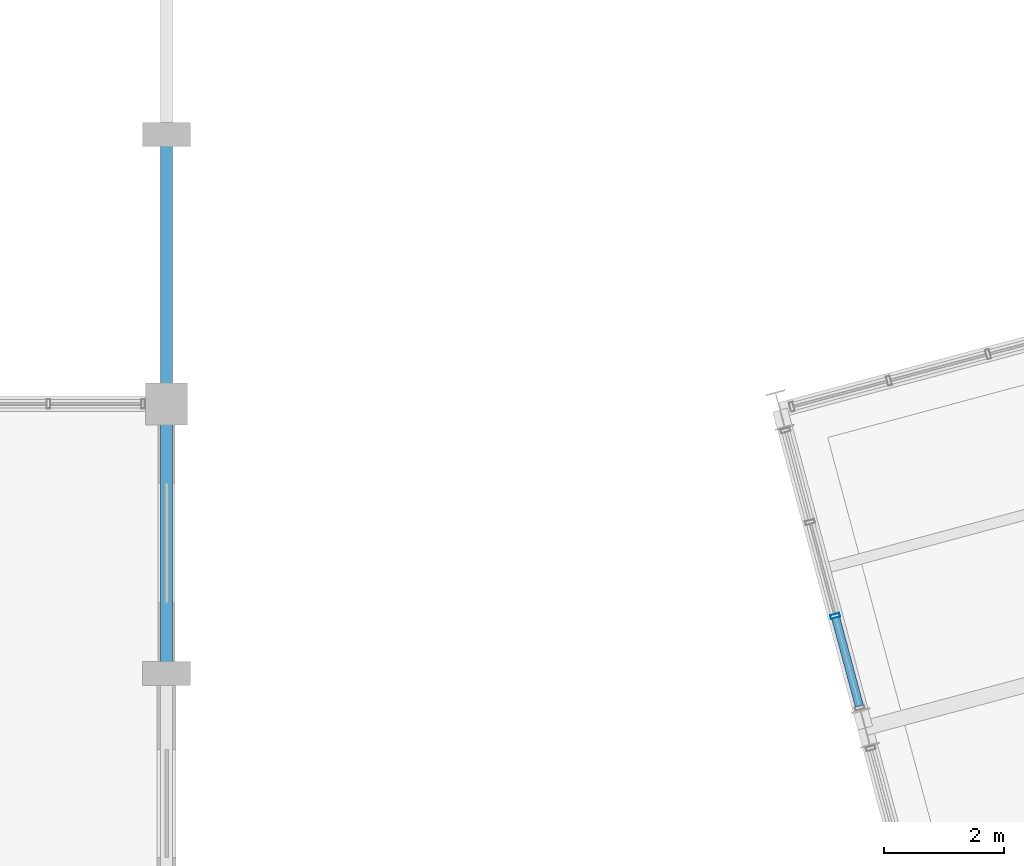
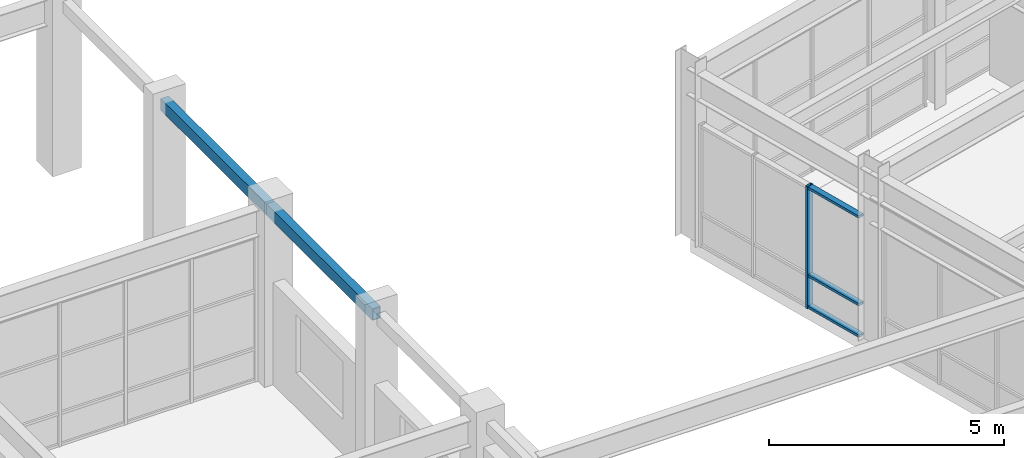
# One storey, part 39 of 104: 4 members, 2 beams, 1 element without a shape of its own.
"""IFC4 building model written with IfcOpenShell, lengths in metres."""

import ifcopenshell
import ifcopenshell.guid

model = None  # the IFC model being written
_history = None  # IfcOwnerHistory: only IFC2X3 demands one
_inside = {}  # id of a spatial element -> (the spatial element, [elements in it])
_under = {}  # id of a project, library or spatial element -> (it, [spatial elements below it])
_declared = {}  # id of a project -> (the project, [libraries it declares])
_typed = {}  # id of a type object -> (the type object, [elements of that type])
_made_of = {}  # id of a material, layer set ... -> (it, [elements and type objects made of it])


def new_model(schema):
    """Start an empty IFC model of exactly this schema.

    Asked for "IFC4X3", IfcOpenShell would pick the latest addendum, in which some entities
    have other attributes; the version numbers below select the first issue.
    IFC2X3 requires an IfcOwnerHistory on every rooted entity: one is made here for all.
    """
    global model, _history
    if schema == "IFC4X3":
        model = ifcopenshell.file(schema_version=(4, 3, 0, 0))
    else:
        model = ifcopenshell.file(schema=schema)
    _inside.clear()
    _under.clear()
    _declared.clear()
    _typed.clear()
    _made_of.clear()
    _history = None
    if model.schema == "IFC2X3":
        org = make("IfcOrganization", Name="unknown")
        user = make(
            "IfcPersonAndOrganization",
            ThePerson=make("IfcPerson", FamilyName="unknown"),
            TheOrganization=org,
        )
        app = make(
            "IfcApplication",
            ApplicationDeveloper=org,
            Version="unknown",
            ApplicationFullName="unknown",
            ApplicationIdentifier="unknown",
        )
        _history = make(
            "IfcOwnerHistory",
            OwningUser=user,
            OwningApplication=app,
            ChangeAction="ADDED",
            CreationDate=0,
        )
    return model


def make(cls, **values):
    """One entity of the class cls with the attributes given. An attribute that is None is left unset."""
    return model.create_entity(
        cls, **{name: value for name, value in values.items() if value is not None}
    )


def rooted(cls, **values):
    """An entity with a GlobalId (a new one), such as an element, a storey or a relation."""
    return make(cls, GlobalId=ifcopenshell.guid.new(), OwnerHistory=_history, **values)


def si_unit(unit_type, name, prefix=None):
    """IfcSIUnit, for example si_unit("LENGTHUNIT", "METRE", prefix="MILLI")."""
    return make("IfcSIUnit", UnitType=unit_type, Prefix=prefix, Name=name)


def assignment(units):
    """IfcUnitAssignment: the units of a project."""
    return None if units is None else make("IfcUnitAssignment", Units=units)


def point(xyz):
    """IfcCartesianPoint."""
    return None if xyz is None else make("IfcCartesianPoint", Coordinates=xyz)


def direction(xyz):
    """IfcDirection."""
    return None if xyz is None else make("IfcDirection", DirectionRatios=xyz)


def frame(location, z_axis=None, x_axis=None):
    """IfcAxis2Placement3D, a coordinate frame: its origin and axes. An axis left out is left unset."""
    return make(
        "IfcAxis2Placement3D",
        Location=point(location),
        Axis=direction(z_axis),
        RefDirection=direction(x_axis),
    )


def frame_2d(location, x_axis=None):
    """IfcAxis2Placement2D, a coordinate frame in the plane: its origin and x axis."""
    return make(
        "IfcAxis2Placement2D", Location=point(location), RefDirection=direction(x_axis)
    )


def origin():
    """The frame at (0, 0, 0) with its axes left unset."""
    return frame((0.0, 0.0, 0.0))


def origin_2d():
    """The frame at (0, 0) in the plane with its x axis left unset."""
    return frame_2d((0.0, 0.0))


def place(relative_to, where):
    """IfcLocalPlacement: puts the frame where relative to a parent placement (None: the world)."""
    return make(
        "IfcLocalPlacement", PlacementRelTo=relative_to, RelativePlacement=where
    )


def context(
    kind, dimensions, precision=None, world=None, true_north=None, identifier=None
):
    """IfcGeometricRepresentationContext, for example the 3D "Model" context."""
    return make(
        "IfcGeometricRepresentationContext",
        ContextIdentifier=identifier,
        ContextType=kind,
        CoordinateSpaceDimension=dimensions,
        Precision=precision,
        WorldCoordinateSystem=world,
        TrueNorth=true_north,
    )


def subcontext(parent, identifier, kind, view, scale=None):
    """IfcGeometricRepresentationSubContext, for example "Body" below "Model"."""
    return make(
        "IfcGeometricRepresentationSubContext",
        ContextIdentifier=identifier,
        ContextType=kind,
        ParentContext=parent,
        TargetScale=scale,
        TargetView=view,
    )


def project(units=None, contexts=None):
    """IfcProject with its units and contexts."""
    return rooted(
        "IfcProject",
        Name="project",
        RepresentationContexts=contexts,
        UnitsInContext=assignment(units),
    )


def spatial(cls, under=None, at=None, **own):
    """A site, building, storey or space (cls), placed at a placement, below another one or the project."""
    s = rooted(cls, ObjectPlacement=at, **own)
    if under is not None:
        _under.setdefault(under.id(), (under, []))[1].append(s)
    return s


def profile(cls, at=None, kind="AREA", **sizes):
    """A parametric profile (cls). Its sizes go by their IFC names, for example OverallWidth=200.0."""
    return make(cls, ProfileType=kind, Position=at, **sizes)


def hollow_rectangle(**sizes):
    """IfcRectangleHollowProfileDef."""
    return profile("IfcRectangleHollowProfileDef", **sizes)


def extrude(swept, where, along, depth):
    """IfcExtrudedAreaSolid: the profile swept, set in the frame where, extruded along a direction by depth."""
    return make(
        "IfcExtrudedAreaSolid",
        SweptArea=swept,
        Position=where,
        ExtrudedDirection=direction(along),
        Depth=depth,
    )


def shape(context_of_items, identifier, shape_type, items):
    """IfcShapeRepresentation: the items that make up one representation, for example the "Body"."""
    return make(
        "IfcShapeRepresentation",
        ContextOfItems=context_of_items,
        RepresentationIdentifier=identifier,
        RepresentationType=shape_type,
        Items=items,
    )


def material(Name=None, Category=None):
    """IfcMaterial."""
    return make("IfcMaterial", Name=Name, Category=Category)


def layer(
    of_material, thickness, ventilated=None, Name=None, Category=None, Priority=None
):
    """IfcMaterialLayer: one layer of a wall or slab, of a material (None: an air gap)."""
    return make(
        "IfcMaterialLayer",
        Material=of_material,
        LayerThickness=thickness,
        IsVentilated=ventilated,
        Name=Name,
        Category=Category,
        Priority=Priority,
    )


def layer_set(layers, Name=None):
    """IfcMaterialLayerSet."""
    return make("IfcMaterialLayerSet", MaterialLayers=layers, LayerSetName=Name)


def material_profile(
    of_material, cross_section, Name=None, Category=None, Priority=None
):
    """IfcMaterialProfile: a cross section and its material."""
    return make(
        "IfcMaterialProfile",
        Name=Name,
        Material=of_material,
        Profile=cross_section,
        Priority=Priority,
        Category=Category,
    )


def profile_set(profiles, Name=None, composite=None):
    """IfcMaterialProfileSet."""
    return make(
        "IfcMaterialProfileSet",
        Name=Name,
        MaterialProfiles=profiles,
        CompositeProfile=composite,
    )


def made_of(thing, what):
    """Note that an element or type object is made of a material, layer set ...; save() writes the relation."""
    if what is not None:
        _made_of.setdefault(what.id(), (what, []))[1].append(thing)
    return thing


def type_object(cls, material=None, **own):
    """A type object (cls), such as IfcWallType, which elements share."""
    return made_of(rooted(cls, **own), material)


def element(
    cls,
    number,
    at=None,
    inside=None,
    cuts=None,
    type_object=None,
    material=None,
    context=None,
    identifier="Body",
    shape_type=None,
    held_by="IfcProductDefinitionShape",
    body=None,
    shapes=None,
    **own,
):
    """One element of the class cls, such as IfcWall. Its Tag is "e" and its number.

    at: its placement. inside: the storey or other place that contains it. cuts: it is an
    opening in that element (IfcRelVoidsElement). A single representation is given by context,
    identifier, shape_type and body (its items); several are given by shapes. held_by: the class
    of the entity that holds the representations. save() writes the other relations.
    """
    e = rooted(cls, Tag="e%d" % number, ObjectPlacement=at, **own)
    if body is not None:
        shapes = [shape(context, identifier, shape_type, body)]
    if shapes is not None:
        e.Representation = make(held_by, Representations=shapes)
    if inside is not None:
        _inside.setdefault(inside.id(), (inside, []))[1].append(e)
    if cuts is not None:
        rooted(
            "IfcRelVoidsElement", RelatingBuildingElement=cuts, RelatedOpeningElement=e
        )
    if type_object is not None:
        _typed.setdefault(type_object.id(), (type_object, []))[1].append(e)
    return made_of(e, material)


def aggregate(whole, parts):
    """IfcRelAggregates: a whole, such as a stair, and the parts it consists of."""
    return rooted("IfcRelAggregates", RelatingObject=whole, RelatedObjects=parts)


def save(model, path):
    """Write the relations noted so far, then the file.

    IfcRelAggregates (storeys below a building ...), IfcRelContainedInSpatialStructure (elements
    in a storey), IfcRelDefinesByType, IfcRelAssociatesMaterial and IfcRelDeclares: one each for
    every whole, place, type object, material and project.
    """
    for whole, parts in _under.values():
        aggregate(whole, parts)
    for where, things in _inside.values():
        rooted(
            "IfcRelContainedInSpatialStructure",
            RelatedElements=things,
            RelatingStructure=where,
        )
    for kind, things in _typed.values():
        rooted("IfcRelDefinesByType", RelatedObjects=things, RelatingType=kind)
    for what, things in _made_of.values():
        rooted("IfcRelAssociatesMaterial", RelatedObjects=things, RelatingMaterial=what)
    for by, libraries in _declared.values():
        rooted("IfcRelDeclares", RelatingContext=by, RelatedDefinitions=libraries)
    model.write(path)


model = new_model("IFC4")

# Units and contexts
model_context = context("Model", 3, precision=1e-05, world=origin(), true_north=direction((0.0, 1.0)))
body_context = subcontext(model_context, "Body", "Model", "MODEL_VIEW")
ifc_project = project(units=[si_unit("LENGTHUNIT", "METRE"), si_unit("AREAUNIT", "SQUARE_METRE"), si_unit("VOLUMEUNIT", "CUBIC_METRE"), si_unit("PLANEANGLEUNIT", "RADIAN"), si_unit("MASSUNIT", "GRAM", prefix="KILO")], contexts=[model_context])

# Site, building, storey
site_placement = place(None, origin())
site = spatial("IfcSite", under=ifc_project, at=site_placement, CompositionType="ELEMENT")
building_placement = place(site_placement, origin())
building = spatial("IfcBuilding", under=site, at=building_placement, Name="Ventoquebrada Cableway Terminal", CompositionType="ELEMENT")
storey_placement = place(building_placement, frame((0.0, 0.0, 4.800048828125)))
storey = spatial("IfcBuildingStorey", under=building, at=storey_placement, Name="L01", CompositionType="ELEMENT", Elevation=4.800048828125)

# Curtain wall, members
ifc_material_1 = material(Name="Anodized thermally-broken aluminium", Category="aluminium")
ifc_layer = layer(ifc_material_1, 0.159912109375)
ifc_layer_set = layer_set([ifc_layer], Name="Anodized thermally-broken aluminium")
curtain_wall_type = type_object("IfcCurtainWallType", Name="CW-T38", PredefinedType="USERDEFINED", material=ifc_layer_set)
curtain_wall_placement = place(storey_placement, origin())
curtain_wall = element("IfcCurtainWall", 1, at=curtain_wall_placement, inside=storey, type_object=curtain_wall_type, Name="Unitised glazed curtain wall CW-096", ObjectType="UNITISED CURTAIN WALL", PredefinedType="USERDEFINED")
ifc_material_profile_1 = material_profile(ifc_material_1, hollow_rectangle(XDim=0.06494140625, YDim=0.159912109375, WallThickness=0.00390625, at=origin_2d()), Name="CW-MUL-65X160")
ifc_profile_set_1 = profile_set([ifc_material_profile_1], Name="Anodized thermally-broken aluminium")
member_type_1 = type_object("IfcMemberType", Name="CWM-01", PredefinedType="MULLION", material=ifc_profile_set_1)
member_1_placement = place(storey_placement, frame((46.169921875, 91.4580078125, -0.008056640625), z_axis=(0.0, 0.0, 1.0), x_axis=(0.258650455301, -0.965970984022, 0.0)))
member_1 = element("IfcMember", 2, at=member_1_placement, type_object=member_type_1, Name="Curtain wall mullion FML-0470", PredefinedType="MULLION", context=body_context, shape_type="SweptSolid", body=[
    extrude(hollow_rectangle(XDim=0.06494140625, YDim=0.159912109375, WallThickness=0.00390625, at=origin_2d()), origin(), (0.0, 0.0, 1.0), 3.173095703125),
])
ifc_material_profile_2 = material_profile(ifc_material_1, hollow_rectangle(XDim=0.06494140625, YDim=0.139892578125, WallThickness=0.00390625, at=origin_2d()), Name="CW-TRN-65X140")
ifc_profile_set_2 = profile_set([ifc_material_profile_2], Name="Anodized thermally-broken aluminium")
member_type_2 = type_object("IfcMemberType", Name="CWT-01", PredefinedType="USERDEFINED", material=ifc_profile_set_2)
member_2_placement = place(storey_placement, frame((46.177001953125, 91.431884765625, 0.034912109375), z_axis=(0.258911184026, -0.965901133029, 0.0), x_axis=(0.0, 0.0, 1.0)))
member_2 = element("IfcMember", 3, at=member_2_placement, type_object=member_type_2, Name="Curtain wall transom FTR-1391", ObjectType="TRANSOM", PredefinedType="USERDEFINED", context=body_context, shape_type="SweptSolid", body=[
    extrude(hollow_rectangle(XDim=0.06494140625, YDim=0.139892578125, WallThickness=0.00390625, at=origin_2d()), origin(), (0.0, 0.0, 1.0), 1.533203125),
])
member_3_placement = place(storey_placement, frame((46.177001953125, 91.431884765625, 0.849853515625), z_axis=(0.258911184026, -0.965901133029, 0.0), x_axis=(0.0, 0.0, 1.0)))
member_3 = element("IfcMember", 4, at=member_3_placement, type_object=member_type_2, Name="Curtain wall transom FTR-1392", ObjectType="TRANSOM", PredefinedType="USERDEFINED", context=body_context, shape_type="SweptSolid", body=[
    extrude(hollow_rectangle(XDim=0.06494140625, YDim=0.139892578125, WallThickness=0.00390625, at=origin_2d()), origin(), (0.0, 0.0, 1.0), 1.533203125),
])
member_4_placement = place(storey_placement, frame((46.177001953125, 91.431884765625, 3.125), z_axis=(0.258911184026, -0.965901133029, 0.0), x_axis=(0.0, 0.0, 1.0)))
member_4 = element("IfcMember", 5, at=member_4_placement, type_object=member_type_2, Name="Curtain wall transom FTR-1393", ObjectType="TRANSOM", PredefinedType="USERDEFINED", context=body_context, shape_type="SweptSolid", body=[
    extrude(hollow_rectangle(XDim=0.06494140625, YDim=0.139892578125, WallThickness=0.00390625, at=origin_2d()), origin(), (0.0, 0.0, 1.0), 1.533203125),
])
aggregate(curtain_wall, [member_1, member_2, member_3, member_4])

# Beams
ifc_material_2 = material(Name="Steel ASTM A500 Grade C", Category="steel")
ifc_material_profile_3 = material_profile(ifc_material_2, hollow_rectangle(XDim=0.199951171875, YDim=0.300048828125, WallThickness=0.012451171875, at=origin_2d()), Name="RHS300X200X12.5")
ifc_profile_set_3 = profile_set([ifc_material_profile_3], Name="Steel ASTM A500 Grade C")
beam_type = type_object("IfcBeamType", Name="SP-ST02", PredefinedType="SPANDREL", material=ifc_profile_set_3)
for number, where, z_axis, x_axis, name in (
    (6, (35.0, 90.5, 4.31494140625), (0.0, 1.0, 0.0), (-1.0, 0.0, 0.0), "Perimeter spandrel beam FBM-0433"),
    (7, (35.0, 95.0, 4.31494140625), (0.0, 1.0, 0.0), (-1.0, 0.0, 0.0), "Perimeter spandrel beam FBM-0434"),
):
    element("IfcBeam", number, at=place(storey_placement, frame(where, z_axis=z_axis, x_axis=x_axis)), inside=storey, type_object=beam_type, Name=name, PredefinedType="SPANDREL", context=body_context, shape_type="SweptSolid", body=[
        extrude(hollow_rectangle(XDim=0.199951171875, YDim=0.300048828125, WallThickness=0.012451171875, at=origin_2d()), origin(), (0.0, 0.0, 1.0), 4.5),
    ])

save(model, "model.ifc")
